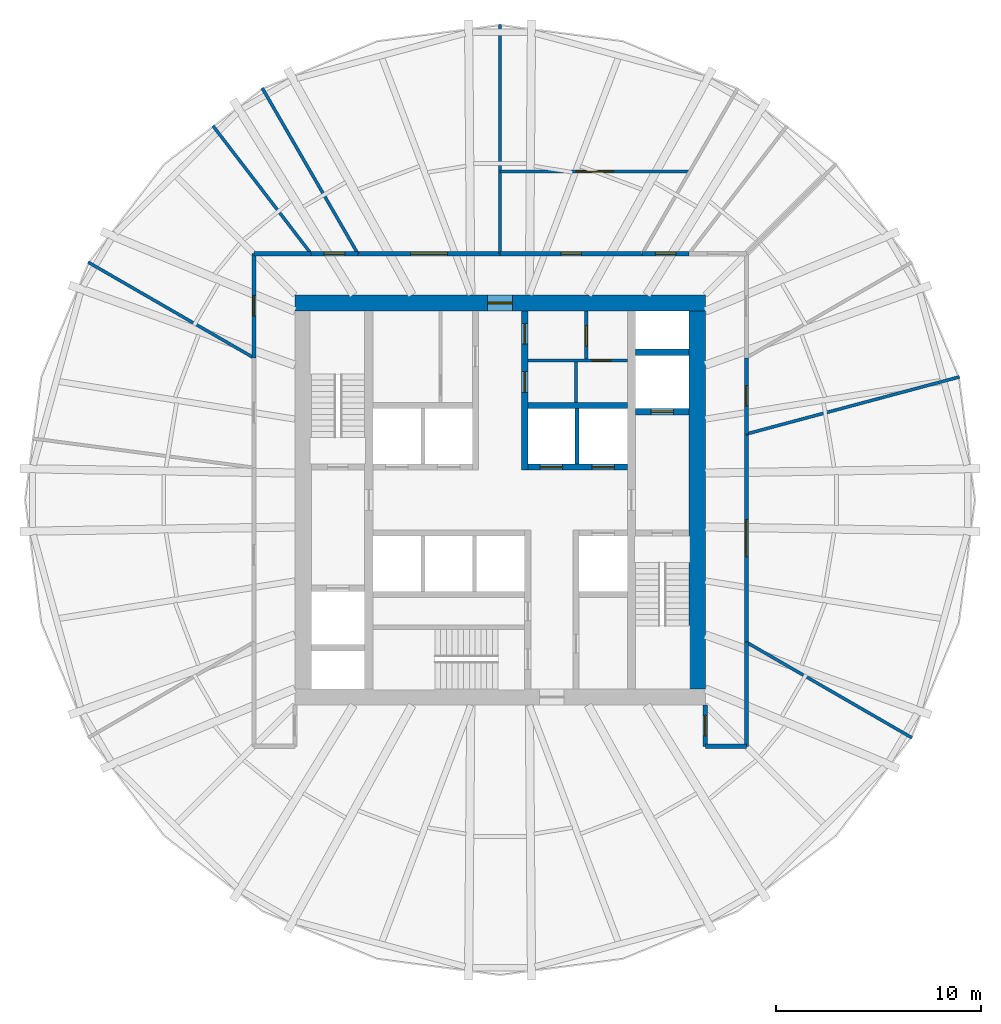
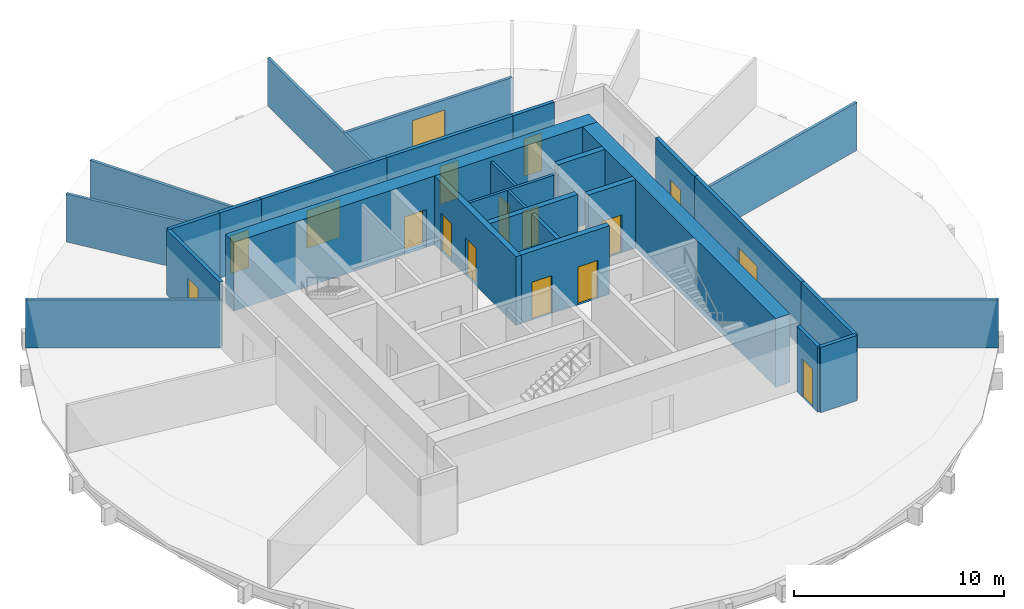
# One storey, part 4 of 6: 29 walls, 17 doors, 17 openings.
"""IFC4 building model written with IfcOpenShell, lengths in metres."""

from ifc_helpers import new_model, si_unit, direction, frame, frame_2d, origin, place, context, subcontext, project, spatial, rectangle, extrude, material, layer, layer_set, type_object, element, fill, save


model = new_model("IFC4")

# Units and contexts
model_context = context("Model", 3, precision=1e-05, world=origin(), true_north=direction((0.0, 1.0)))
body_context = subcontext(model_context, "Body", "Model", "MODEL_VIEW")
ifc_project = project(units=[si_unit("LENGTHUNIT", "METRE"), si_unit("AREAUNIT", "SQUARE_METRE"), si_unit("VOLUMEUNIT", "CUBIC_METRE"), si_unit("PLANEANGLEUNIT", "RADIAN"), si_unit("MASSUNIT", "GRAM", prefix="KILO")], contexts=[model_context])

# Site, building, storey
site_placement = place(None, origin())
site = spatial("IfcSite", under=ifc_project, at=site_placement, CompositionType="ELEMENT")
building_placement = place(site_placement, origin())
building = spatial("IfcBuilding", under=site, at=building_placement, Name="Golbaran Civic Tower", CompositionType="ELEMENT")
storey_placement = place(building_placement, frame((0.0, 0.0, 49.0)))
storey = spatial("IfcBuildingStorey", under=building, at=storey_placement, Name="L11", CompositionType="ELEMENT", Elevation=49.0)

# Wall, opening, door
ifc_material_1 = material(Name="Concrete block", Category="concrete")
ifc_layer_1 = layer(ifc_material_1, 0.14990234375, Name="Concrete block")
ifc_layer_set_1 = layer_set([ifc_layer_1], Name="Concrete block")
wall_type_1 = type_object("IfcWallType", Name="BLOCKWORK PARTITION 150", PredefinedType="PARTITIONING", material=ifc_layer_set_1)
wall_1_placement = place(storey_placement, frame((1.35009765625, 6.800048828125, 0.0), z_axis=(0.0, 0.0, 1.0), x_axis=(1.0, 0.0, 0.0)))
wall_1 = element("IfcWall", 1, at=wall_1_placement, inside=storey, type_object=wall_type_1, Name="Toilet block partition TN1 L11", PredefinedType="PARTITIONING", context=body_context, shape_type="SweptSolid", body=[
    extrude(rectangle(XDim=4.849853515625, YDim=0.14990234375, at=frame_2d((2.4248046875, 0.0))), origin(), (0.0, 0.0, 1.0), 3.75),
])
opening_1_placement = place(wall_1_placement, frame((3.14990234375, 0.0, 0.0)))
opening_1 = element("IfcOpeningElement", 2, at=opening_1_placement, cuts=wall_1, Name="Opening L11.CLN", PredefinedType="OPENING", context=body_context, shape_type="SweptSolid", body=[
    extrude(rectangle(XDim=0.89990234375, YDim=2.199951171875, at=frame_2d((0.449951171875, 1.10009765625))), frame((0.0, 0.0849609375, 0.0), z_axis=(0.0, -1.0, 0.0), x_axis=(1.0, 0.0, 0.0)), (0.0, 0.0, 1.0), 0.169921875),
])
ifc_material_2 = material(Name="Timber door set in steel frame", Category="steel")
door_type_1 = type_object("IfcDoorType", Name="RISER DOOR 900x2200", OperationType="SINGLE_SWING_LEFT", PredefinedType="DOOR", material=ifc_material_2)
door_1_placement = place(opening_1_placement, origin())
door_1 = element("IfcDoor", 3, at=door_1_placement, inside=storey, type_object=door_type_1, Name="Sanitary Supplies Store door", OperationType="SINGLE_SWING_RIGHT", OverallHeight=2.199951171875, OverallWidth=0.89990234375, PredefinedType="DOOR", context=body_context, shape_type="SweptSolid", body=[
    extrude(rectangle(XDim=0.89990234375, YDim=2.199951171875, at=frame_2d((0.449951171875, 1.10009765625))), frame((0.0, 0.02490234375, 0.0), z_axis=(0.0, -1.0, 0.0), x_axis=(1.0, 0.0, 0.0)), (0.0, 0.0, 1.0), 0.050048828125),
])
fill(opening_1, door_1)

# Wall
wall_2_placement = place(storey_placement, frame((3.699951171875, 4.75, 0.0), z_axis=(0.0, 0.0, 1.0), x_axis=(0.0, 1.0, 0.0)))
element("IfcWall", 4, at=wall_2_placement, inside=storey, type_object=wall_type_1, Name="Toilet block partition TN2 L11", PredefinedType="PARTITIONING", context=body_context, shape_type="SweptSolid", body=[
    extrude(rectangle(XDim=1.97509765625, YDim=0.14990234375, at=frame_2d((0.987548828125, 0.0))), origin(), (0.0, 0.0, 1.0), 3.75),
])

# Wall, opening, door
ifc_material_3 = material(Name="Concrete C50/60", Category="concrete")
ifc_layer_2 = layer(ifc_material_3, 0.800048828125, Name="Concrete C50/60")
ifc_layer_set_2 = layer_set([ifc_layer_2], Name="Concrete C50/60")
wall_type_2 = type_object("IfcWallType", Name="CORE WALL CONCRETE 800", PredefinedType="SOLIDWALL", material=ifc_layer_set_2)
wall_3_placement = place(storey_placement, frame((-10.0, 9.60009765625, 0.0), z_axis=(0.0, 0.0, 1.0), x_axis=(1.0, 0.0, 0.0)))
wall_3 = element("IfcWall", 5, at=wall_3_placement, inside=storey, type_object=wall_type_2, Name="Core wall CN L11", PredefinedType="SOLIDWALL", context=body_context, shape_type="SweptSolid", body=[
    extrude(rectangle(XDim=20.0, YDim=0.800048828125, at=frame_2d((10.0, 0.0))), origin(), (0.0, 0.0, 1.0), 4.0),
])
opening_2_placement = place(wall_3_placement, frame((9.39990234375, 0.0, 0.0)))
opening_2 = element("IfcOpeningElement", 6, at=opening_2_placement, cuts=wall_3, Name="Opening L11.CN", PredefinedType="OPENING", context=body_context, shape_type="SweptSolid", body=[
    extrude(rectangle(XDim=1.199951171875, YDim=2.199951171875, at=frame_2d((0.60009765625, 1.10009765625))), frame((0.0, 0.409912109375, 0.0), z_axis=(0.0, -1.0, 0.0), x_axis=(1.0, 0.0, 0.0)), (0.0, 0.0, 1.0), 0.820068359375),
])
door_type_2 = type_object("IfcDoorType", Name="CORE DOOR 1200x2200", OperationType="DOUBLE_DOOR_SINGLE_SWING", PredefinedType="DOOR", material=ifc_material_2)
door_2_placement = place(opening_2_placement, origin())
door_2 = element("IfcDoor", 7, at=door_2_placement, inside=storey, type_object=door_type_2, Name="Core door north", OperationType="DOUBLE_DOOR_SINGLE_SWING", OverallHeight=2.199951171875, OverallWidth=1.199951171875, PredefinedType="DOOR", context=body_context, shape_type="SweptSolid", body=[
    extrude(rectangle(XDim=1.199951171875, YDim=2.199951171875, at=frame_2d((0.60009765625, 1.10009765625))), frame((0.0, 0.02490234375, 0.0), z_axis=(0.0, -1.0, 0.0), x_axis=(1.0, 0.0, 0.0)), (0.0, 0.0, 1.0), 0.050048828125),
])
fill(opening_2, door_2)

# Wall
wall_4_placement = place(storey_placement, frame((9.60009765625, -9.199951171875, 0.0), z_axis=(0.0, 0.0, 1.0), x_axis=(0.0, 1.0, 0.0)))
element("IfcWall", 8, at=wall_4_placement, inside=storey, type_object=wall_type_2, Name="Core wall CE L11", PredefinedType="SOLIDWALL", context=body_context, shape_type="SweptSolid", body=[
    extrude(rectangle(XDim=18.39990234375, YDim=0.800048828125, at=frame_2d((9.199951171875, 0.0))), origin(), (0.0, 0.0, 1.0), 4.0),
])

# Wall, opening, door
ifc_material_4 = material(Name="Gypsum board on steel studs, fire-rated", Category="steel")
ifc_layer_3 = layer(ifc_material_4, 0.199951171875, Name="Gypsum board on steel studs, fire-rated")
ifc_layer_set_3 = layer_set([ifc_layer_3], Name="Gypsum board on steel studs, fire-rated")
wall_type_3 = type_object("IfcWallType", Name="CORRIDOR WALL 200", PredefinedType="PARTITIONING", material=ifc_layer_set_3)
wall_5_placement = place(storey_placement, frame((12.0, -6.92822265625, 0.0), z_axis=(0.0, 0.0, 1.0), x_axis=(0.0, 1.0, 0.0)))
wall_5 = element("IfcWall", 9, at=wall_5_placement, inside=storey, type_object=wall_type_3, Name="Corridor wall L11", PredefinedType="PARTITIONING", context=body_context, shape_type="SweptSolid", body=[
    extrude(rectangle(XDim=10.1435546875, YDim=0.199951171875, at=frame_2d((5.07177734375, 0.0))), origin(), (0.0, 0.0, 1.0), 3.800048828125),
])
opening_3_placement = place(wall_5_placement, frame((4.171875, 0.0, 0.0)))
opening_3 = element("IfcOpeningElement", 10, at=opening_3_placement, cuts=wall_5, Name="Opening L11.03", PredefinedType="OPENING", context=body_context, shape_type="SweptSolid", body=[
    extrude(rectangle(XDim=1.800048828125, YDim=2.199951171875, at=frame_2d((0.89990234375, 1.10009765625))), frame((0.0, 0.10986328125, 0.0), z_axis=(0.0, -1.0, 0.0), x_axis=(1.0, 0.0, 0.0)), (0.0, 0.0, 1.0), 0.219970703125),
])
door_type_3 = type_object("IfcDoorType", Name="OFFICE DOUBLE DOOR 1800x2200", OperationType="DOUBLE_DOOR_SINGLE_SWING", PredefinedType="DOOR", material=ifc_material_2)
door_3_placement = place(opening_3_placement, origin())
door_3 = element("IfcDoor", 11, at=door_3_placement, inside=storey, type_object=door_type_3, Name="Open Office door L11", OperationType="DOUBLE_DOOR_SINGLE_SWING", OverallHeight=2.199951171875, OverallWidth=1.800048828125, PredefinedType="DOOR", context=body_context, shape_type="SweptSolid", body=[
    extrude(rectangle(XDim=1.800048828125, YDim=2.199951171875, at=frame_2d((0.89990234375, 1.10009765625))), frame((0.0, 0.02490234375, 0.0), z_axis=(0.0, -1.0, 0.0), x_axis=(1.0, 0.0, 0.0)), (0.0, 0.0, 1.0), 0.050048828125),
])
fill(opening_3, door_3)

wall_6_placement = place(storey_placement, frame((12.0, 3.21533203125, 0.0), z_axis=(0.0, 0.0, 1.0), x_axis=(0.0, 1.0, 0.0)))
wall_6 = element("IfcWall", 12, at=wall_6_placement, inside=storey, type_object=wall_type_3, Name="Corridor wall L11", PredefinedType="PARTITIONING", context=body_context, shape_type="SweptSolid", body=[
    extrude(rectangle(XDim=3.712890625, YDim=0.199951171875, at=frame_2d((1.8564453125, 0.0))), origin(), (0.0, 0.0, 1.0), 3.800048828125),
])
opening_4_placement = place(wall_6_placement, frame((1.3564453125, 0.0, 0.0)))
opening_4 = element("IfcOpeningElement", 13, at=opening_4_placement, cuts=wall_6, Name="Opening L11.04", PredefinedType="OPENING", context=body_context, shape_type="SweptSolid", body=[
    extrude(rectangle(XDim=1.0, YDim=2.199951171875, at=frame_2d((0.5, 1.10009765625))), frame((0.0, 0.10986328125, 0.0), z_axis=(0.0, -1.0, 0.0), x_axis=(1.0, 0.0, 0.0)), (0.0, 0.0, 1.0), 0.219970703125),
])
door_type_4 = type_object("IfcDoorType", Name="OFFICE DOOR 1000x2200", OperationType="SINGLE_SWING_LEFT", PredefinedType="DOOR", material=ifc_material_2)
door_4_placement = place(opening_4_placement, origin())
door_4 = element("IfcDoor", 14, at=door_4_placement, inside=storey, type_object=door_type_4, Name="Interview Room door L11", OperationType="SINGLE_SWING_LEFT", OverallHeight=2.199951171875, OverallWidth=1.0, PredefinedType="DOOR", context=body_context, shape_type="SweptSolid", body=[
    extrude(rectangle(XDim=1.0, YDim=2.199951171875, at=frame_2d((0.5, 1.10009765625))), frame((0.0, 0.02490234375, 0.0), z_axis=(0.0, -1.0, 0.0), x_axis=(1.0, 0.0, 0.0)), (0.0, 0.0, 1.0), 0.050048828125),
])
fill(opening_4, door_4)

wall_7_placement = place(storey_placement, frame((9.2080078125, 12.0, 0.0), z_axis=(0.0, 0.0, 1.0), x_axis=(-1.0, 0.0, 0.0)))
wall_7 = element("IfcWall", 15, at=wall_7_placement, inside=storey, type_object=wall_type_3, Name="Corridor wall L11", PredefinedType="PARTITIONING", context=body_context, shape_type="SweptSolid", body=[
    extrude(rectangle(XDim=2.27978515625, YDim=0.199951171875, at=frame_2d((1.139892578125, 0.0))), origin(), (0.0, 0.0, 1.0), 3.800048828125),
])
opening_5_placement = place(wall_7_placement, frame((0.639892578125, 0.0, 0.0)))
opening_5 = element("IfcOpeningElement", 16, at=opening_5_placement, cuts=wall_7, Name="Opening L11.07", PredefinedType="OPENING", context=body_context, shape_type="SweptSolid", body=[
    extrude(rectangle(XDim=1.0, YDim=2.199951171875, at=frame_2d((0.5, 1.10009765625))), frame((0.0, 0.10986328125, 0.0), z_axis=(0.0, -1.0, 0.0), x_axis=(1.0, 0.0, 0.0)), (0.0, 0.0, 1.0), 0.219970703125),
])
door_5_placement = place(opening_5_placement, origin())
door_5 = element("IfcDoor", 17, at=door_5_placement, inside=storey, type_object=door_type_4, Name="Prayer Room door L11", OperationType="SINGLE_SWING_RIGHT", OverallHeight=2.199951171875, OverallWidth=1.0, PredefinedType="DOOR", context=body_context, shape_type="SweptSolid", body=[
    extrude(rectangle(XDim=1.0, YDim=2.199951171875, at=frame_2d((0.5, 1.10009765625))), frame((0.0, 0.02490234375, 0.0), z_axis=(0.0, -1.0, 0.0), x_axis=(1.0, 0.0, 0.0)), (0.0, 0.0, 1.0), 0.050048828125),
])
fill(opening_5, door_5)

wall_8_placement = place(storey_placement, frame((6.92822265625, 12.0, 0.0), z_axis=(0.0, 0.0, 1.0), x_axis=(-1.0, 0.0, 0.0)))
wall_8 = element("IfcWall", 18, at=wall_8_placement, inside=storey, type_object=wall_type_3, Name="Corridor wall L11", PredefinedType="PARTITIONING", context=body_context, shape_type="SweptSolid", body=[
    extrude(rectangle(XDim=6.92822265625, YDim=0.199951171875, at=frame_2d((3.464111328125, 0.0))), origin(), (0.0, 0.0, 1.0), 3.800048828125),
])
opening_6_placement = place(wall_8_placement, frame((2.964111328125, 0.0, 0.0)))
opening_6 = element("IfcOpeningElement", 19, at=opening_6_placement, cuts=wall_8, Name="Opening L11.08", PredefinedType="OPENING", context=body_context, shape_type="SweptSolid", body=[
    extrude(rectangle(XDim=1.0, YDim=2.199951171875, at=frame_2d((0.5, 1.10009765625))), frame((0.0, 0.10986328125, 0.0), z_axis=(0.0, -1.0, 0.0), x_axis=(1.0, 0.0, 0.0)), (0.0, 0.0, 1.0), 0.219970703125),
])
door_6_placement = place(opening_6_placement, origin())
door_6 = element("IfcDoor", 20, at=door_6_placement, inside=storey, type_object=door_type_4, Name="Waiting Area door L11", OperationType="SINGLE_SWING_RIGHT", OverallHeight=2.199951171875, OverallWidth=1.0, PredefinedType="DOOR", context=body_context, shape_type="SweptSolid", body=[
    extrude(rectangle(XDim=1.0, YDim=2.199951171875, at=frame_2d((0.5, 1.10009765625))), frame((0.0, 0.02490234375, 0.0), z_axis=(0.0, -1.0, 0.0), x_axis=(1.0, 0.0, 0.0)), (0.0, 0.0, 1.0), 0.050048828125),
])
fill(opening_6, door_6)

wall_9_placement = place(storey_placement, frame((0.0, 12.0, 0.0), z_axis=(0.0, 0.0, 1.0), x_axis=(-1.0, 0.0, 0.0)))
wall_9 = element("IfcWall", 21, at=wall_9_placement, inside=storey, type_object=wall_type_3, Name="Corridor wall L11", PredefinedType="PARTITIONING", context=body_context, shape_type="SweptSolid", body=[
    extrude(rectangle(XDim=6.92822265625, YDim=0.199951171875, at=frame_2d((3.464111328125, 0.0))), origin(), (0.0, 0.0, 1.0), 3.800048828125),
])
opening_7_placement = place(wall_9_placement, frame((2.564208984375, 0.0, 0.0)))
opening_7 = element("IfcOpeningElement", 22, at=opening_7_placement, cuts=wall_9, Name="Opening L11.09", PredefinedType="OPENING", context=body_context, shape_type="SweptSolid", body=[
    extrude(rectangle(XDim=1.800048828125, YDim=2.199951171875, at=frame_2d((0.89990234375, 1.10009765625))), frame((0.0, 0.10986328125, 0.0), z_axis=(0.0, -1.0, 0.0), x_axis=(1.0, 0.0, 0.0)), (0.0, 0.0, 1.0), 0.219970703125),
])
door_7_placement = place(opening_7_placement, origin())
door_7 = element("IfcDoor", 23, at=door_7_placement, inside=storey, type_object=door_type_3, Name="Open Office door L11", OperationType="DOUBLE_DOOR_SINGLE_SWING", OverallHeight=2.199951171875, OverallWidth=1.800048828125, PredefinedType="DOOR", context=body_context, shape_type="SweptSolid", body=[
    extrude(rectangle(XDim=1.800048828125, YDim=2.199951171875, at=frame_2d((0.89990234375, 1.10009765625))), frame((0.0, 0.02490234375, 0.0), z_axis=(0.0, -1.0, 0.0), x_axis=(1.0, 0.0, 0.0)), (0.0, 0.0, 1.0), 0.050048828125),
])
fill(opening_7, door_7)

wall_10_placement = place(storey_placement, frame((-6.92822265625, 12.0, 0.0), z_axis=(0.0, 0.0, 1.0), x_axis=(-1.0, 0.0, 0.0)))
wall_10 = element("IfcWall", 24, at=wall_10_placement, inside=storey, type_object=wall_type_3, Name="Corridor wall L11", PredefinedType="PARTITIONING", context=body_context, shape_type="SweptSolid", body=[
    extrude(rectangle(XDim=2.27978515625, YDim=0.199951171875, at=frame_2d((1.139892578125, 0.0))), origin(), (0.0, 0.0, 1.0), 3.800048828125),
])
opening_8_placement = place(wall_10_placement, frame((0.639892578125, 0.0, 0.0)))
opening_8 = element("IfcOpeningElement", 25, at=opening_8_placement, cuts=wall_10, Name="Opening L11.10", PredefinedType="OPENING", context=body_context, shape_type="SweptSolid", body=[
    extrude(rectangle(XDim=1.0, YDim=2.199951171875, at=frame_2d((0.5, 1.10009765625))), frame((0.0, 0.10986328125, 0.0), z_axis=(0.0, -1.0, 0.0), x_axis=(1.0, 0.0, 0.0)), (0.0, 0.0, 1.0), 0.219970703125),
])
door_8_placement = place(opening_8_placement, origin())
door_8 = element("IfcDoor", 26, at=door_8_placement, inside=storey, type_object=door_type_4, Name="Project Room door L11", OperationType="SINGLE_SWING_RIGHT", OverallHeight=2.199951171875, OverallWidth=1.0, PredefinedType="DOOR", context=body_context, shape_type="SweptSolid", body=[
    extrude(rectangle(XDim=1.0, YDim=2.199951171875, at=frame_2d((0.5, 1.10009765625))), frame((0.0, 0.02490234375, 0.0), z_axis=(0.0, -1.0, 0.0), x_axis=(1.0, 0.0, 0.0)), (0.0, 0.0, 1.0), 0.050048828125),
])
fill(opening_8, door_8)

# Wall
wall_11_placement = place(storey_placement, frame((-9.2080078125, 12.0, 0.0), z_axis=(0.0, 0.0, 1.0), x_axis=(-1.0, 0.0, 0.0)))
element("IfcWall", 27, at=wall_11_placement, inside=storey, type_object=wall_type_3, Name="Corridor wall L11", PredefinedType="PARTITIONING", context=body_context, shape_type="SweptSolid", body=[
    extrude(rectangle(XDim=2.7919921875, YDim=0.199951171875, at=frame_2d((1.39599609375, 0.0))), origin(), (0.0, 0.0, 1.0), 3.800048828125),
])

# Wall, opening, door
wall_12_placement = place(storey_placement, frame((-12.0, 12.0, 0.0), z_axis=(0.0, 0.0, 1.0), x_axis=(0.0, -1.0, 0.0)))
wall_12 = element("IfcWall", 28, at=wall_12_placement, inside=storey, type_object=wall_type_3, Name="Corridor wall L11", PredefinedType="PARTITIONING", context=body_context, shape_type="SweptSolid", body=[
    extrude(rectangle(XDim=5.07177734375, YDim=0.199951171875, at=frame_2d((2.535888671875, 0.0))), origin(), (0.0, 0.0, 1.0), 3.800048828125),
])
opening_9_placement = place(wall_12_placement, frame((2.035888671875, 0.0, 0.0)))
opening_9 = element("IfcOpeningElement", 29, at=opening_9_placement, cuts=wall_12, Name="Opening L11.11", PredefinedType="OPENING", context=body_context, shape_type="SweptSolid", body=[
    extrude(rectangle(XDim=1.0, YDim=2.199951171875, at=frame_2d((0.5, 1.10009765625))), frame((0.0, 0.10986328125, 0.0), z_axis=(0.0, -1.0, 0.0), x_axis=(1.0, 0.0, 0.0)), (0.0, 0.0, 1.0), 0.219970703125),
])
door_9_placement = place(opening_9_placement, origin())
door_9 = element("IfcDoor", 30, at=door_9_placement, inside=storey, type_object=door_type_4, Name="Quiet Room door L11", OperationType="SINGLE_SWING_RIGHT", OverallHeight=2.199951171875, OverallWidth=1.0, PredefinedType="DOOR", context=body_context, shape_type="SweptSolid", body=[
    extrude(rectangle(XDim=1.0, YDim=2.199951171875, at=frame_2d((0.5, 1.10009765625))), frame((0.0, 0.02490234375, 0.0), z_axis=(0.0, -1.0, 0.0), x_axis=(1.0, 0.0, 0.0)), (0.0, 0.0, 1.0), 0.050048828125),
])
fill(opening_9, door_9)

# Walls
wall_13_placement = place(storey_placement, frame((10.0, -12.0, 0.0), z_axis=(0.0, 0.0, 1.0), x_axis=(1.0, 0.0, 0.0)))
element("IfcWall", 31, at=wall_13_placement, inside=storey, type_object=wall_type_3, Name="Corridor wall L11", PredefinedType="PARTITIONING", context=body_context, shape_type="SweptSolid", body=[
    extrude(rectangle(XDim=2.0, YDim=0.199951171875, at=frame_2d((1.0, 0.0))), origin(), (0.0, 0.0, 1.0), 3.800048828125),
])
wall_14_placement = place(storey_placement, frame((12.0, -12.0, 0.0), z_axis=(0.0, 0.0, 1.0), x_axis=(0.0, 1.0, 0.0)))
element("IfcWall", 32, at=wall_14_placement, inside=storey, type_object=wall_type_3, Name="Corridor wall L11", PredefinedType="PARTITIONING", context=body_context, shape_type="SweptSolid", body=[
    extrude(rectangle(XDim=5.07177734375, YDim=0.199951171875, at=frame_2d((2.535888671875, 0.0))), origin(), (0.0, 0.0, 1.0), 3.800048828125),
])

# Wall, opening, door
wall_15_placement = place(storey_placement, frame((10.0, -10.0, 0.0), z_axis=(0.0, 0.0, 1.0), x_axis=(0.0, -1.0, 0.0)))
wall_15 = element("IfcWall", 33, at=wall_15_placement, inside=storey, type_object=wall_type_3, Name="Corridor end wall L11", PredefinedType="PARTITIONING", context=body_context, shape_type="SweptSolid", body=[
    extrude(rectangle(XDim=2.0, YDim=0.199951171875, at=frame_2d((1.0, 0.0))), origin(), (0.0, 0.0, 1.0), 3.800048828125),
])
opening_10_placement = place(wall_15_placement, frame((0.5, 0.0, 0.0)))
opening_10 = element("IfcOpeningElement", 34, at=opening_10_placement, cuts=wall_15, Name="Opening L11.15", PredefinedType="OPENING", context=body_context, shape_type="SweptSolid", body=[
    extrude(rectangle(XDim=1.0, YDim=2.199951171875, at=frame_2d((0.5, 1.10009765625))), frame((0.0, 0.10986328125, 0.0), z_axis=(0.0, -1.0, 0.0), x_axis=(1.0, 0.0, 0.0)), (0.0, 0.0, 1.0), 0.219970703125),
])
door_10_placement = place(opening_10_placement, origin())
door_10 = element("IfcDoor", 35, at=door_10_placement, inside=storey, type_object=door_type_4, Name="Open Office door L11", OperationType="SINGLE_SWING_RIGHT", OverallHeight=2.199951171875, OverallWidth=1.0, PredefinedType="DOOR", context=body_context, shape_type="SweptSolid", body=[
    extrude(rectangle(XDim=1.0, YDim=2.199951171875, at=frame_2d((0.5, 1.10009765625))), frame((0.0, 0.02490234375, 0.0), z_axis=(0.0, -1.0, 0.0), x_axis=(1.0, 0.0, 0.0)), (0.0, 0.0, 1.0), 0.050048828125),
])
fill(opening_10, door_10)

# Walls
ifc_layer_4 = layer(ifc_material_1, 0.199951171875, Name="Concrete block")
ifc_layer_set_4 = layer_set([ifc_layer_4], Name="Concrete block")
wall_type_4 = type_object("IfcWallType", Name="LIFT SEPARATOR WALL 200", PredefinedType="SOLIDWALL", material=ifc_layer_set_4)
wall_16_placement = place(storey_placement, frame((3.75, 1.75, 0.0), z_axis=(0.0, 0.0, 1.0), x_axis=(0.0, 1.0, 0.0)))
element("IfcWall", 36, at=wall_16_placement, inside=storey, type_object=wall_type_4, Name="Core partition SNE L11", PredefinedType="SOLIDWALL", context=body_context, shape_type="SweptSolid", body=[
    extrude(rectangle(XDim=2.699951171875, YDim=0.199951171875, at=frame_2d((1.35009765625, 0.0))), origin(), (0.0, 0.0, 1.0), 3.75),
])
ifc_material_5 = material(Name="Gypsum board on steel studs", Category="steel")
ifc_layer_5 = layer(ifc_material_5, 0.14990234375, Name="Gypsum board on steel studs")
ifc_layer_set_5 = layer_set([ifc_layer_5], Name="Gypsum board on steel studs")
wall_type_5 = type_object("IfcWallType", Name="OFFICE PARTITION 150", PredefinedType="PARTITIONING", material=ifc_layer_set_5)
wall_17_placement = place(storey_placement, frame((12.0, -6.92822265625, 0.0), z_axis=(0.0, 0.0, 1.0), x_axis=(0.866028610261, -0.499994446179, 0.0)))
element("IfcWall", 37, at=wall_17_placement, inside=storey, type_object=wall_type_5, Name="Partition 330 L11", PredefinedType="PARTITIONING", context=body_context, shape_type="SweptSolid", body=[
    extrude(rectangle(XDim=9.32373046875, YDim=0.14990234375, at=frame_2d((4.661865234375, 0.0))), origin(), (0.0, 0.0, 1.0), 2.7900390625),
])
wall_18_placement = place(storey_placement, frame((12.0, 3.21533203125, 0.0), z_axis=(0.0, 0.0, 1.0), x_axis=(0.965923838539, 0.258826463373, 0.0)))
element("IfcWall", 38, at=wall_18_placement, inside=storey, type_object=wall_type_5, Name="Partition 15 L11", PredefinedType="PARTITIONING", context=body_context, shape_type="SweptSolid", body=[
    extrude(rectangle(XDim=10.7568359375, YDim=0.14990234375, at=frame_2d((5.37841796875, 0.0))), origin(), (0.0, 0.0, 1.0), 2.7900390625),
])
wall_19_placement = place(storey_placement, frame((0.0, 12.0, 0.0), z_axis=(0.0, 0.0, 1.0), x_axis=(0.0, 1.0, 0.0)))
element("IfcWall", 39, at=wall_19_placement, inside=storey, type_object=wall_type_5, Name="Partition 90 L11", PredefinedType="PARTITIONING", context=body_context, shape_type="SweptSolid", body=[
    extrude(rectangle(XDim=11.18017578125, YDim=0.14990234375, at=frame_2d((5.590087890625, 0.0))), origin(), (0.0, 0.0, 1.0), 2.7900390625),
])
wall_20_placement = place(storey_placement, frame((-6.92822265625, 12.0, 0.0), z_axis=(0.0, 0.0, 1.0), x_axis=(-0.499994446179, 0.866028610261, 0.0)))
element("IfcWall", 40, at=wall_20_placement, inside=storey, type_object=wall_type_5, Name="Partition 120 L11", PredefinedType="PARTITIONING", context=body_context, shape_type="SweptSolid", body=[
    extrude(rectangle(XDim=9.32373046875, YDim=0.14990234375, at=frame_2d((4.661865234375, 0.0))), origin(), (0.0, 0.0, 1.0), 2.7900390625),
])
wall_21_placement = place(storey_placement, frame((-9.2080078125, 12.0, 0.0), z_axis=(0.0, 0.0, 1.0), x_axis=(-0.60875965539, 0.793354701233, 0.0)))
element("IfcWall", 41, at=wall_21_placement, inside=storey, type_object=wall_type_5, Name="Partition 127.5 L11", PredefinedType="PARTITIONING", context=body_context, shape_type="SweptSolid", body=[
    extrude(rectangle(XDim=7.856201171875, YDim=0.14990234375, at=frame_2d((3.92822265625, 0.0))), origin(), (0.0, 0.0, 1.0), 2.7900390625),
])
wall_22_placement = place(storey_placement, frame((-12.0, 6.92822265625, 0.0), z_axis=(0.0, 0.0, 1.0), x_axis=(-0.866028610261, 0.499994446179, 0.0)))
element("IfcWall", 42, at=wall_22_placement, inside=storey, type_object=wall_type_5, Name="Partition 150 L11", PredefinedType="PARTITIONING", context=body_context, shape_type="SweptSolid", body=[
    extrude(rectangle(XDim=9.32373046875, YDim=0.14990234375, at=frame_2d((4.661865234375, 0.0))), origin(), (0.0, 0.0, 1.0), 2.7900390625),
])

# Wall, opening, door
wall_23_placement = place(storey_placement, frame((9.237548828125, 16.0, 0.0), z_axis=(0.0, 0.0, 1.0), x_axis=(-1.0, 0.0, 0.0)))
wall_23 = element("IfcWall", 43, at=wall_23_placement, inside=storey, type_object=wall_type_5, Name="Suite partition L11", PredefinedType="PARTITIONING", context=body_context, shape_type="SweptSolid", body=[
    extrude(rectangle(XDim=9.237548828125, YDim=0.14990234375, at=frame_2d((4.61865234375, 0.0))), origin(), (0.0, 0.0, 1.0), 2.7900390625),
])
opening_11_placement = place(wall_23_placement, frame((3.71875, 0.0, 0.0)))
opening_11 = element("IfcOpeningElement", 44, at=opening_11_placement, cuts=wall_23, Name="Opening L11.01", PredefinedType="OPENING", context=body_context, shape_type="SweptSolid", body=[
    extrude(rectangle(XDim=1.800048828125, YDim=2.199951171875, at=frame_2d((0.89990234375, 1.10009765625))), frame((0.0, 0.0849609375, 0.0), z_axis=(0.0, -1.0, 0.0), x_axis=(1.0, 0.0, 0.0)), (0.0, 0.0, 1.0), 0.169921875),
])
door_11_placement = place(opening_11_placement, origin())
door_11 = element("IfcDoor", 45, at=door_11_placement, inside=storey, type_object=door_type_3, Name="Office door L11", OperationType="DOUBLE_DOOR_SINGLE_SWING", OverallHeight=2.199951171875, OverallWidth=1.800048828125, PredefinedType="DOOR", context=body_context, shape_type="SweptSolid", body=[
    extrude(rectangle(XDim=1.800048828125, YDim=2.199951171875, at=frame_2d((0.89990234375, 1.10009765625))), frame((0.0, 0.02490234375, 0.0), z_axis=(0.0, -1.0, 0.0), x_axis=(1.0, 0.0, 0.0)), (0.0, 0.0, 1.0), 0.050048828125),
])
fill(opening_11, door_11)

# Wall, openings, doors
ifc_layer_6 = layer(ifc_material_3, 0.300048828125, Name="Concrete C50/60")
ifc_layer_set_6 = layer_set([ifc_layer_6], Name="Concrete C50/60")
wall_type_6 = type_object("IfcWallType", Name="SHAFT WALL CONCRETE 300", PredefinedType="SOLIDWALL", material=ifc_layer_set_6)
wall_24_placement = place(storey_placement, frame((1.35009765625, 1.60009765625, 0.0), z_axis=(0.0, 0.0, 1.0), x_axis=(1.0, 0.0, 0.0)))
wall_24 = element("IfcWall", 46, at=wall_24_placement, inside=storey, type_object=wall_type_6, Name="Core wall FNE L11", PredefinedType="SOLIDWALL", context=body_context, shape_type="SweptSolid", body=[
    extrude(rectangle(XDim=4.849853515625, YDim=0.300048828125, at=frame_2d((2.4248046875, 0.0))), origin(), (0.0, 0.0, 1.0), 4.0),
])
opening_12_placement = place(wall_24_placement, frame((0.60009765625, 0.0, 0.0)))
opening_12 = element("IfcOpeningElement", 47, at=opening_12_placement, cuts=wall_24, Name="Opening L11.LD-Z3L", PredefinedType="OPENING", context=body_context, shape_type="SweptSolid", body=[
    extrude(rectangle(XDim=1.10009765625, YDim=2.199951171875, at=frame_2d((0.550048828125, 1.10009765625))), frame((0.0, 0.159912109375, 0.0), z_axis=(0.0, -1.0, 0.0), x_axis=(1.0, 0.0, 0.0)), (0.0, 0.0, 1.0), 0.320068359375),
])
opening_13_placement = place(wall_24_placement, frame((3.125, 0.0, 0.0)))
opening_13 = element("IfcOpeningElement", 48, at=opening_13_placement, cuts=wall_24, Name="Opening L11.LD-Z4L", PredefinedType="OPENING", context=body_context, shape_type="SweptSolid", body=[
    extrude(rectangle(XDim=1.10009765625, YDim=2.199951171875, at=frame_2d((0.550048828125, 1.10009765625))), frame((0.0, 0.159912109375, 0.0), z_axis=(0.0, -1.0, 0.0), x_axis=(1.0, 0.0, 0.0)), (0.0, 0.0, 1.0), 0.320068359375),
])
ifc_material_6 = material(Name="Stainless steel", Category="steel")
door_type_5 = type_object("IfcDoorType", Name="LIFT LANDING DOOR 1100x2200", OperationType="SLIDING_TO_LEFT", PredefinedType="DOOR", material=ifc_material_6)
door_12_placement = place(opening_12_placement, origin())
door_12 = element("IfcDoor", 49, at=door_12_placement, inside=storey, type_object=door_type_5, Name="Lift landing door Z3L", OperationType="SLIDING_TO_LEFT", OverallHeight=2.199951171875, OverallWidth=1.10009765625, PredefinedType="DOOR", context=body_context, shape_type="SweptSolid", body=[
    extrude(rectangle(XDim=1.10009765625, YDim=2.199951171875, at=frame_2d((0.550048828125, 1.10009765625))), frame((0.0, 0.02490234375, 0.0), z_axis=(0.0, -1.0, 0.0), x_axis=(1.0, 0.0, 0.0)), (0.0, 0.0, 1.0), 0.050048828125),
])
fill(opening_12, door_12)
door_13_placement = place(opening_13_placement, origin())
door_13 = element("IfcDoor", 50, at=door_13_placement, inside=storey, type_object=door_type_5, Name="Lift landing door Z4L", OperationType="SLIDING_TO_LEFT", OverallHeight=2.199951171875, OverallWidth=1.10009765625, PredefinedType="DOOR", context=body_context, shape_type="SweptSolid", body=[
    extrude(rectangle(XDim=1.10009765625, YDim=2.199951171875, at=frame_2d((0.550048828125, 1.10009765625))), frame((0.0, 0.02490234375, 0.0), z_axis=(0.0, -1.0, 0.0), x_axis=(1.0, 0.0, 0.0)), (0.0, 0.0, 1.0), 0.050048828125),
])
fill(opening_13, door_13)

# Wall
wall_25_placement = place(storey_placement, frame((1.35009765625, 4.60009765625, 0.0), z_axis=(0.0, 0.0, 1.0), x_axis=(1.0, 0.0, 0.0)))
element("IfcWall", 51, at=wall_25_placement, inside=storey, type_object=wall_type_6, Name="Core wall BNE L11", PredefinedType="SOLIDWALL", context=body_context, shape_type="SweptSolid", body=[
    extrude(rectangle(XDim=4.849853515625, YDim=0.300048828125, at=frame_2d((2.4248046875, 0.0))), origin(), (0.0, 0.0, 1.0), 4.0),
])

# Wall, openings, doors
wall_26_placement = place(storey_placement, frame((1.199951171875, 1.449951171875, 0.0), z_axis=(0.0, 0.0, 1.0), x_axis=(0.0, 1.0, 0.0)))
wall_26 = element("IfcWall", 52, at=wall_26_placement, inside=storey, type_object=wall_type_6, Name="Core wall PNE L11", PredefinedType="SOLIDWALL", context=body_context, shape_type="SweptSolid", body=[
    extrude(rectangle(XDim=7.75, YDim=0.300048828125, at=frame_2d((3.875, 0.0))), origin(), (0.0, 0.0, 1.0), 4.0),
])
opening_14_placement = place(wall_26_placement, frame((3.800048828125, 0.0, 0.0)))
opening_14 = element("IfcOpeningElement", 53, at=opening_14_placement, cuts=wall_26, Name="Opening L11.WCA", PredefinedType="OPENING", context=body_context, shape_type="SweptSolid", body=[
    extrude(rectangle(XDim=1.0, YDim=2.199951171875, at=frame_2d((0.5, 1.10009765625))), frame((0.0, 0.159912109375, 0.0), z_axis=(0.0, -1.0, 0.0), x_axis=(1.0, 0.0, 0.0)), (0.0, 0.0, 1.0), 0.320068359375),
])
opening_15_placement = place(wall_26_placement, frame((6.14990234375, 0.0, 0.0)))
opening_15 = element("IfcOpeningElement", 54, at=opening_15_placement, cuts=wall_26, Name="Opening L11.WCF", PredefinedType="OPENING", context=body_context, shape_type="SweptSolid", body=[
    extrude(rectangle(XDim=1.0, YDim=2.199951171875, at=frame_2d((0.5, 1.10009765625))), frame((0.0, 0.159912109375, 0.0), z_axis=(0.0, -1.0, 0.0), x_axis=(1.0, 0.0, 0.0)), (0.0, 0.0, 1.0), 0.320068359375),
])
door_type_6 = type_object("IfcDoorType", Name="TOILET DOOR 1000x2200", OperationType="SINGLE_SWING_LEFT", PredefinedType="DOOR", material=ifc_material_2)
door_14_placement = place(opening_14_placement, origin())
door_14 = element("IfcDoor", 55, at=door_14_placement, inside=storey, type_object=door_type_6, Name="Accessible WC door", OperationType="SINGLE_SWING_RIGHT", OverallHeight=2.199951171875, OverallWidth=1.0, PredefinedType="DOOR", context=body_context, shape_type="SweptSolid", body=[
    extrude(rectangle(XDim=1.0, YDim=2.199951171875, at=frame_2d((0.5, 1.10009765625))), frame((0.0, 0.02490234375, 0.0), z_axis=(0.0, -1.0, 0.0), x_axis=(1.0, 0.0, 0.0)), (0.0, 0.0, 1.0), 0.050048828125),
])
fill(opening_14, door_14)
door_15_placement = place(opening_15_placement, origin())
door_15 = element("IfcDoor", 56, at=door_15_placement, inside=storey, type_object=door_type_6, Name="North-east toilet block door", OperationType="SINGLE_SWING_RIGHT", OverallHeight=2.199951171875, OverallWidth=1.0, PredefinedType="DOOR", context=body_context, shape_type="SweptSolid", body=[
    extrude(rectangle(XDim=1.0, YDim=2.199951171875, at=frame_2d((0.5, 1.10009765625))), frame((0.0, 0.02490234375, 0.0), z_axis=(0.0, -1.0, 0.0), x_axis=(1.0, 0.0, 0.0)), (0.0, 0.0, 1.0), 0.050048828125),
])
fill(opening_15, door_15)

# Wall, opening, door
wall_27_placement = place(storey_placement, frame((6.60009765625, 4.300048828125, 0.0), z_axis=(0.0, 0.0, 1.0), x_axis=(1.0, 0.0, 0.0)))
wall_27 = element("IfcWall", 57, at=wall_27_placement, inside=storey, type_object=wall_type_6, Name="Core wall XE2 L11", PredefinedType="SOLIDWALL", context=body_context, shape_type="SweptSolid", body=[
    extrude(rectangle(XDim=2.599853515625, YDim=0.300048828125, at=frame_2d((1.2998046875, 0.0))), origin(), (0.0, 0.0, 1.0), 4.0),
])
opening_16_placement = place(wall_27_placement, frame((0.75, 0.0, 0.0)))
opening_16 = element("IfcOpeningElement", 58, at=opening_16_placement, cuts=wall_27, Name="Opening L11.LD-F2", PredefinedType="OPENING", context=body_context, shape_type="SweptSolid", body=[
    extrude(rectangle(XDim=1.10009765625, YDim=2.199951171875, at=frame_2d((0.550048828125, 1.10009765625))), frame((0.0, 0.159912109375, 0.0), z_axis=(0.0, -1.0, 0.0), x_axis=(1.0, 0.0, 0.0)), (0.0, 0.0, 1.0), 0.320068359375),
])
door_16_placement = place(opening_16_placement, origin())
door_16 = element("IfcDoor", 59, at=door_16_placement, inside=storey, type_object=door_type_5, Name="Lift landing door F2", OperationType="SLIDING_TO_LEFT", OverallHeight=2.199951171875, OverallWidth=1.10009765625, PredefinedType="DOOR", context=body_context, shape_type="SweptSolid", body=[
    extrude(rectangle(XDim=1.10009765625, YDim=2.199951171875, at=frame_2d((0.550048828125, 1.10009765625))), frame((0.0, 0.02490234375, 0.0), z_axis=(0.0, -1.0, 0.0), x_axis=(1.0, 0.0, 0.0)), (0.0, 0.0, 1.0), 0.050048828125),
])
fill(opening_16, door_16)

# Wall
wall_28_placement = place(storey_placement, frame((6.60009765625, 7.199951171875, 0.0), z_axis=(0.0, 0.0, 1.0), x_axis=(1.0, 0.0, 0.0)))
element("IfcWall", 60, at=wall_28_placement, inside=storey, type_object=wall_type_6, Name="Core wall XE3 L11", PredefinedType="SOLIDWALL", context=body_context, shape_type="SweptSolid", body=[
    extrude(rectangle(XDim=2.599853515625, YDim=0.300048828125, at=frame_2d((1.2998046875, 0.0))), origin(), (0.0, 0.0, 1.0), 4.0),
])

# Wall, opening, door
ifc_material_7 = material(Name="Moisture-resistant gypsum board on steel studs", Category="steel")
ifc_layer_7 = layer(ifc_material_7, 0.14990234375, Name="Moisture-resistant gypsum board on steel studs")
ifc_layer_set_7 = layer_set([ifc_layer_7], Name="Moisture-resistant gypsum board on steel studs")
wall_type_7 = type_object("IfcWallType", Name="TOILET BLOCK PARTITION 150", PredefinedType="PARTITIONING", material=ifc_layer_set_7)
wall_29_placement = place(storey_placement, frame((4.199951171875, 6.875, 0.0), z_axis=(0.0, 0.0, 1.0), x_axis=(0.0, 1.0, 0.0)))
wall_29 = element("IfcWall", 61, at=wall_29_placement, inside=storey, type_object=wall_type_7, Name="Toilet block partition TN3 L11", PredefinedType="PARTITIONING", context=body_context, shape_type="SweptSolid", body=[
    extrude(rectangle(XDim=2.324951171875, YDim=0.14990234375, at=frame_2d((1.16259765625, 0.0))), origin(), (0.0, 0.0, 1.0), 3.75),
])
opening_17_placement = place(wall_29_placement, frame((0.625, 0.0, 0.0)))
opening_17 = element("IfcOpeningElement", 62, at=opening_17_placement, cuts=wall_29, Name="Opening L11.02", PredefinedType="OPENING", context=body_context, shape_type="SweptSolid", body=[
    extrude(rectangle(XDim=1.0, YDim=2.199951171875, at=frame_2d((0.5, 1.10009765625))), frame((0.0, 0.0849609375, 0.0), z_axis=(0.0, -1.0, 0.0), x_axis=(1.0, 0.0, 0.0)), (0.0, 0.0, 1.0), 0.169921875),
])
door_17_placement = place(opening_17_placement, origin())
door_17 = element("IfcDoor", 63, at=door_17_placement, inside=storey, type_object=door_type_6, Name="Parents' room door", OperationType="SINGLE_SWING_LEFT", OverallHeight=2.199951171875, OverallWidth=1.0, PredefinedType="DOOR", context=body_context, shape_type="SweptSolid", body=[
    extrude(rectangle(XDim=1.0, YDim=2.199951171875, at=frame_2d((0.5, 1.10009765625))), frame((0.0, 0.02490234375, 0.0), z_axis=(0.0, -1.0, 0.0), x_axis=(1.0, 0.0, 0.0)), (0.0, 0.0, 1.0), 0.050048828125),
])
fill(opening_17, door_17)

save(model, "model.ifc")
